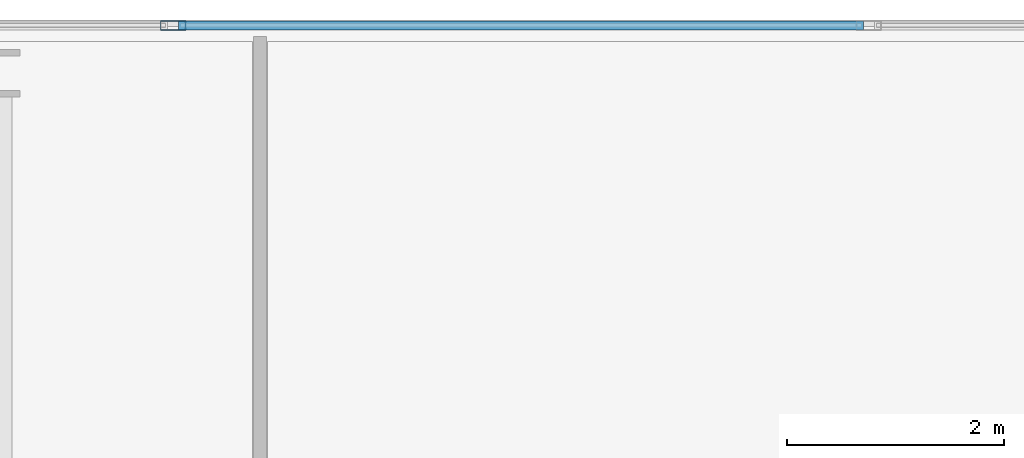
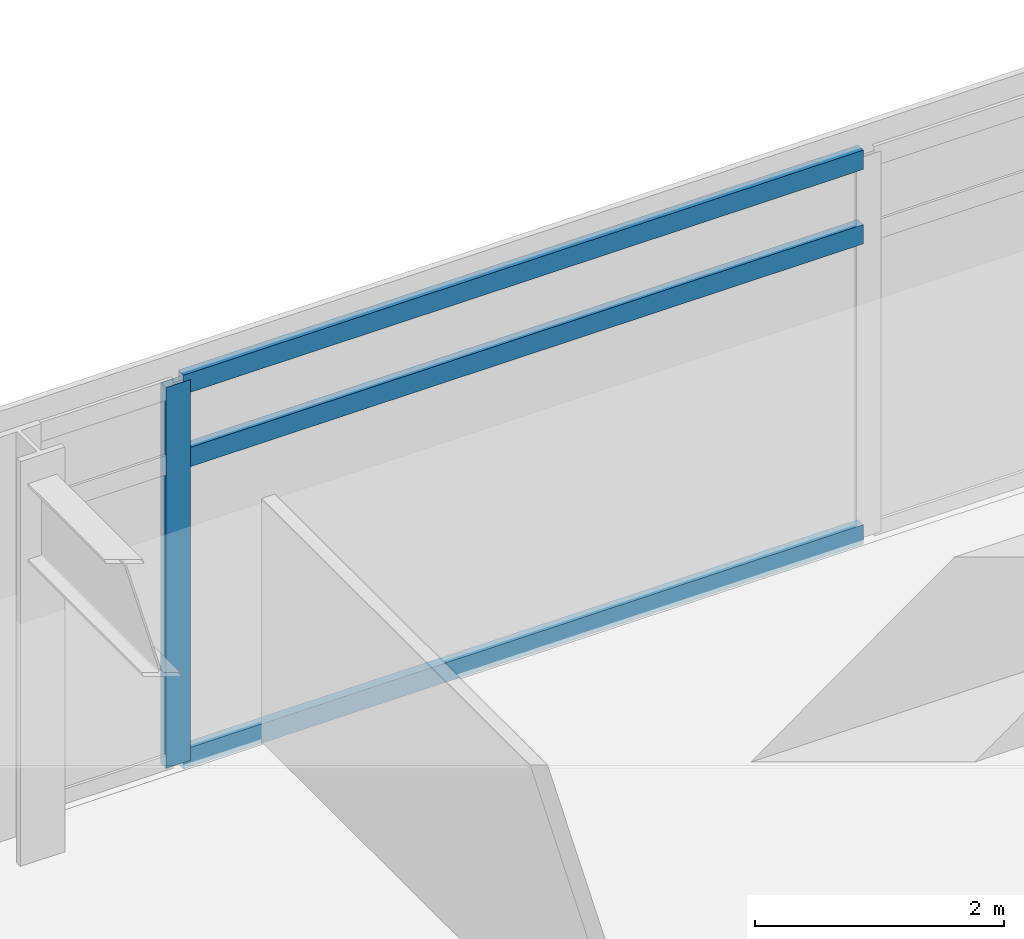
# One storey, part 8 of 23: 4 members, 1 element without a shape of its own.
"""IFC4 building model written with IfcOpenShell, lengths in metres."""

from ifc_helpers import new_model, si_unit, direction, frame, origin, origin_2d, place, context, subcontext, project, spatial, hollow_rectangle, extrude, material, material_profile, profile_set, type_object, element, aggregate, save


model = new_model("IFC4")

# Units and contexts
model_context = context("Model", 3, precision=1e-05, world=origin(), true_north=direction((0.0, 1.0)))
body_context = subcontext(model_context, "Body", "Model", "MODEL_VIEW")
ifc_project = project(units=[si_unit("LENGTHUNIT", "METRE"), si_unit("AREAUNIT", "SQUARE_METRE"), si_unit("VOLUMEUNIT", "CUBIC_METRE"), si_unit("PLANEANGLEUNIT", "RADIAN"), si_unit("MASSUNIT", "GRAM", prefix="KILO")], contexts=[model_context])

# Site, building, storey
site_placement = place(None, origin())
site = spatial("IfcSite", under=ifc_project, at=site_placement, CompositionType="ELEMENT")
building_placement = place(site_placement, origin())
building = spatial("IfcBuilding", under=site, at=building_placement, Name="Kovane Verandah Tower", CompositionType="ELEMENT")
storey_placement = place(building_placement, frame((0.0, 0.0, 140.39990234375)))
storey = spatial("IfcBuildingStorey", under=building, at=storey_placement, Name="L32", CompositionType="ELEMENT", Elevation=140.39990234375)

# Curtain wall, members
ifc_material_1 = material(Name="Champagne Anodised Aluminium Frame with Low-E Clear Laminated Glass", Category="aluminium")
curtain_wall_type = type_object("IfcCurtainWallType", Name="CW-SYS-03-MID", PredefinedType="NOTDEFINED", material=ifc_material_1)
curtain_wall_placement = place(storey_placement, origin())
curtain_wall = element("IfcCurtainWall", 1, at=curtain_wall_placement, inside=storey, type_object=curtain_wall_type, Name="L32 N Unitised Curtain Wall", PredefinedType="NOTDEFINED")
ifc_material_2 = material(Name="Champagne Anodised Aluminium 6063-T6", Category="aluminium")
ifc_material_profile_1 = material_profile(ifc_material_2, hollow_rectangle(XDim=0.0849609375, YDim=0.22998046875, WallThickness=0.00390625, at=origin_2d()), Name="AL85x230x4")
ifc_profile_set_1 = profile_set([ifc_material_profile_1], Name="Champagne Anodised Aluminium 6063-T6")
member_type_1 = type_object("IfcMemberType", Name="CW-MUL-85x230", PredefinedType="MULLION", material=ifc_profile_set_1)
member_1_placement = place(storey_placement, frame((30.615234375, 49.94091796875, 0.02001953125), z_axis=(0.0, 0.0, 1.0), x_axis=(0.0, 1.0, 0.0)))
member_1 = element("IfcMember", 2, at=member_1_placement, type_object=member_type_1, Name="L32 N Unitised Curtain Wall Mullion 6", PredefinedType="MULLION", context=body_context, shape_type="SweptSolid", body=[
    extrude(hollow_rectangle(XDim=0.0849609375, YDim=0.22998046875, WallThickness=0.00390625, at=origin_2d()), origin(), (0.0, 0.0, 1.0), 3.735107421875),
])
ifc_material_profile_2 = material_profile(ifc_material_2, hollow_rectangle(XDim=0.0849609375, YDim=0.18994140625, WallThickness=0.00390625, at=origin_2d()), Name="AL85x190x4")
ifc_profile_set_2 = profile_set([ifc_material_profile_2], Name="Champagne Anodised Aluminium 6063-T6")
member_type_2 = type_object("IfcMemberType", Name="CW-TRN-85x190", PredefinedType="USERDEFINED", material=ifc_profile_set_2)
member_2_placement = place(storey_placement, frame((36.973388671875, 49.94091796875, 0.050048828125), z_axis=(-1.0, 0.0, 0.0), x_axis=(0.0, -1.0, 0.0)))
member_2 = element("IfcMember", 3, at=member_2_placement, type_object=member_type_2, Name="L32 N Unitised Curtain Wall Transom TB Bay 5", ObjectType="TRANSOM", PredefinedType="USERDEFINED", context=body_context, shape_type="SweptSolid", body=[
    extrude(hollow_rectangle(XDim=0.0849609375, YDim=0.18994140625, WallThickness=0.00390625, at=origin_2d()), origin(), (0.0, 0.0, 1.0), 6.30810546875),
])
member_3_placement = place(storey_placement, frame((36.973388671875, 49.94091796875, 2.9951171875), z_axis=(-1.0, 0.0, 0.0), x_axis=(0.0, -1.0, 0.0)))
member_3 = element("IfcMember", 4, at=member_3_placement, type_object=member_type_2, Name="L32 N Unitised Curtain Wall Transom TM Bay 5", ObjectType="TRANSOM", PredefinedType="USERDEFINED", context=body_context, shape_type="SweptSolid", body=[
    extrude(hollow_rectangle(XDim=0.0849609375, YDim=0.18994140625, WallThickness=0.00390625, at=origin_2d()), origin(), (0.0, 0.0, 1.0), 6.30810546875),
])
member_4_placement = place(storey_placement, frame((36.973388671875, 49.94091796875, 3.72509765625), z_axis=(-1.0, 0.0, 0.0), x_axis=(0.0, -1.0, 0.0)))
member_4 = element("IfcMember", 5, at=member_4_placement, type_object=member_type_2, Name="L32 N Unitised Curtain Wall Transom TT Bay 5", ObjectType="TRANSOM", PredefinedType="USERDEFINED", context=body_context, shape_type="SweptSolid", body=[
    extrude(hollow_rectangle(XDim=0.0849609375, YDim=0.18994140625, WallThickness=0.00390625, at=origin_2d()), origin(), (0.0, 0.0, 1.0), 6.30810546875),
])
aggregate(curtain_wall, [member_1, member_2, member_3, member_4])

save(model, "model.ifc")
